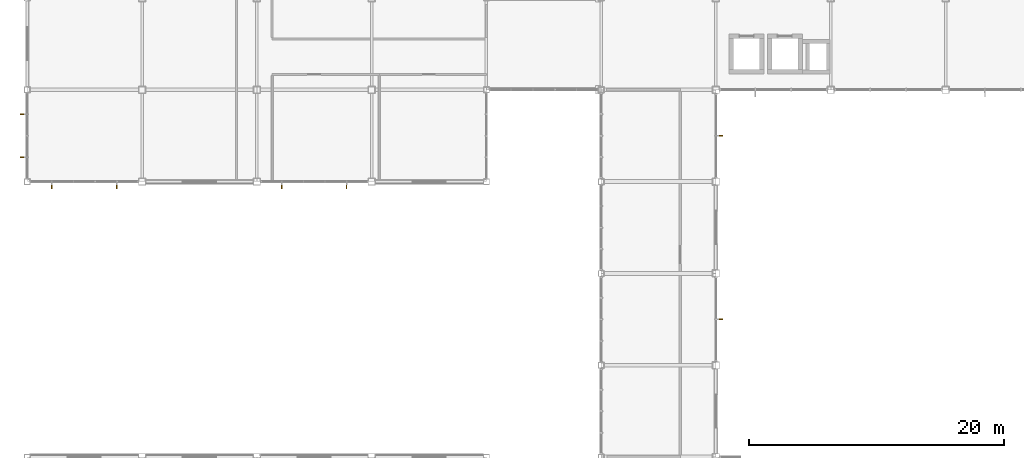
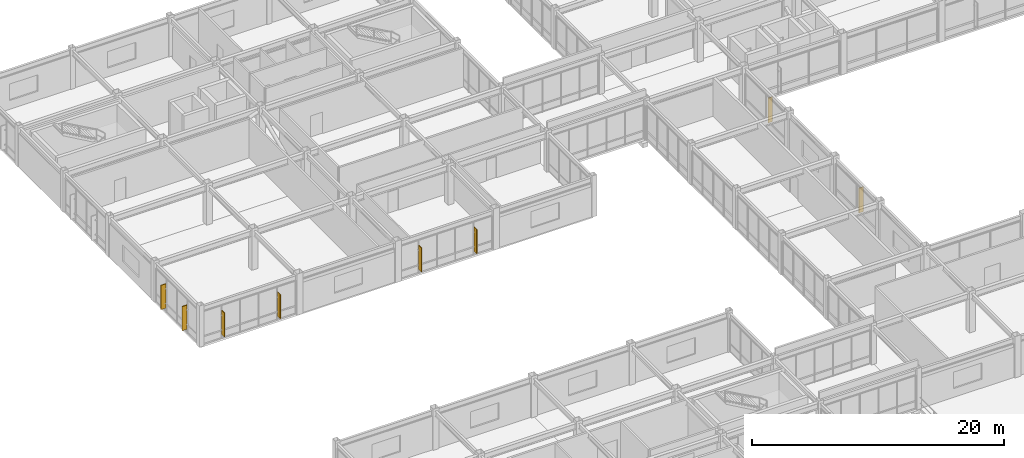
# One storey, part 116 of 122: 8 shading devices.
"""IFC4 building model written with IfcOpenShell, lengths in metres."""

from ifc_helpers import new_model, si_unit, direction, frame, origin, origin_2d, place, context, subcontext, project, spatial, rectangle, extrude, material, type_object, element, save


model = new_model("IFC4")

# Units and contexts
model_context = context("Model", 3, precision=1e-05, world=origin(), true_north=direction((0.0, 1.0)))
body_context = subcontext(model_context, "Body", "Model", "MODEL_VIEW")
ifc_project = project(units=[si_unit("LENGTHUNIT", "METRE"), si_unit("AREAUNIT", "SQUARE_METRE"), si_unit("VOLUMEUNIT", "CUBIC_METRE"), si_unit("PLANEANGLEUNIT", "RADIAN"), si_unit("MASSUNIT", "GRAM", prefix="KILO")], contexts=[model_context])

# Site, building, storey
site_placement = place(None, origin())
site = spatial("IfcSite", under=ifc_project, at=site_placement, CompositionType="ELEMENT")
building_placement = place(site_placement, origin())
building = spatial("IfcBuilding", under=site, at=building_placement, Name="Kazanami Central Library", CompositionType="ELEMENT")
storey_placement = place(building_placement, frame((0.0, 0.0, 4.800048828125)))
storey = spatial("IfcBuildingStorey", under=building, at=storey_placement, Name="L02", CompositionType="ELEMENT", Elevation=4.800048828125)

# Shading devices
ifc_material = material(Name="Anodised Bronze-Grey Aluminium A6063-T5", Category="aluminium")
shading_device_type_1 = type_object("IfcShadingDeviceType", Name="SHD-FIN-2", PredefinedType="USERDEFINED", material=ifc_material)
for number, where, z_axis, x_axis, name in (
    (1, (54.330078125, 46.800048828125, 0.427490234375), (0.0, 0.0, 1.0), (0.0, -1.0, 0.0), "Vertical Solar Fin SF-02 L02 E-7-06.1"),
    (2, (54.330078125, 61.199951171875, 0.427490234375), (0.0, 0.0, 1.0), (0.0, -1.0, 0.0), "Vertical Solar Fin SF-02 L02 E-7-08.1"),
):
    element("IfcShadingDevice", number, at=place(storey_placement, frame(where, z_axis=z_axis, x_axis=x_axis)), inside=storey, type_object=shading_device_type_1, Name=name, ObjectType="SOLAR FIN", PredefinedType="USERDEFINED", context=body_context, shape_type="SweptSolid", body=[
        extrude(rectangle(XDim=0.06494140625, YDim=0.419921875, at=origin_2d()), origin(), (0.0, 0.0, 1.0), 2.39990234375),
    ])
shading_device_type_2 = type_object("IfcShadingDeviceType", Name="SHD-FIN-3", PredefinedType="USERDEFINED", material=ifc_material)
for number, where, z_axis, x_axis, name in (
    (3, (1.925048828125, 57.2548828125, 0.452392578125), (0.0, 0.0, 1.0), (1.0, 0.0, 0.0), "Vertical Solar Fin SF-03 L02 S-J-00.1"),
    (4, (7.02490234375, 57.2548828125, 0.452392578125), (0.0, 0.0, 1.0), (1.0, 0.0, 0.0), "Vertical Solar Fin SF-03 L02 S-J-00.2"),
    (5, (19.965087890625, 57.2548828125, 0.452392578125), (0.0, 0.0, 1.0), (1.0, 0.0, 0.0), "Vertical Solar Fin SF-03 L02 S-J-02.1"),
    (6, (25.034912109375, 57.2548828125, 0.452392578125), (0.0, 0.0, 1.0), (1.0, 0.0, 0.0), "Vertical Solar Fin SF-03 L02 S-J-02.2"),
    (7, (-0.344970703125, 59.512451171875, 0.452392578125), (0.0, 0.0, 1.0), (0.0, 1.0, 0.0), "Vertical Solar Fin SF-03 L02 W-1-08.1"),
    (8, (-0.344970703125, 62.887451171875, 0.452392578125), (0.0, 0.0, 1.0), (0.0, 1.0, 0.0), "Vertical Solar Fin SF-03 L02 W-1-08.2"),
):
    element("IfcShadingDevice", number, at=place(storey_placement, frame(where, z_axis=z_axis, x_axis=x_axis)), inside=storey, type_object=shading_device_type_2, Name=name, ObjectType="SOLAR FIN", PredefinedType="USERDEFINED", context=body_context, shape_type="SweptSolid", body=[
        extrude(rectangle(XDim=0.06494140625, YDim=0.449951171875, at=origin_2d()), origin(), (0.0, 0.0, 1.0), 2.35009765625),
    ])

save(model, "model.ifc")
